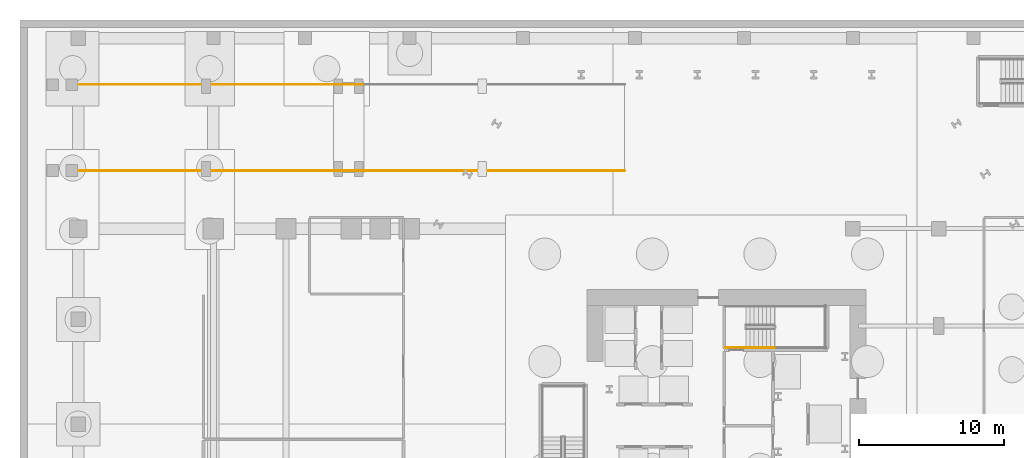
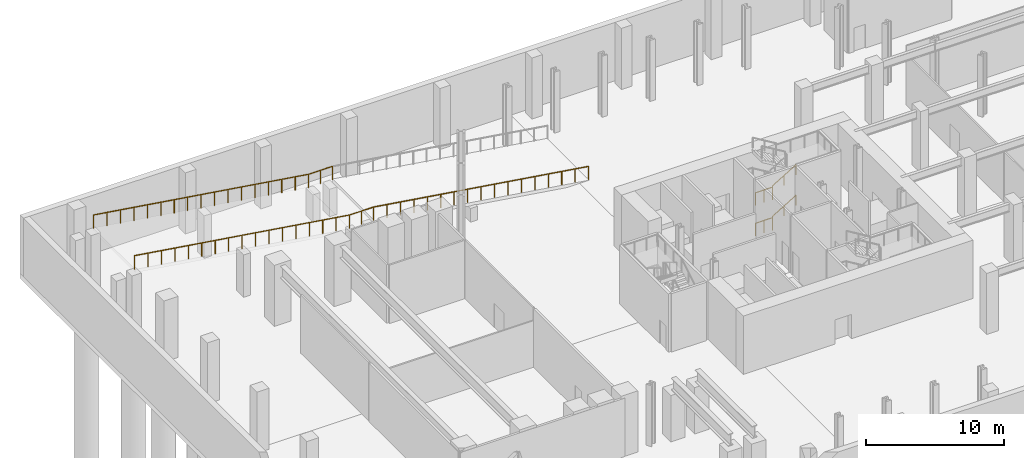
# One storey, part 12 of 16: 9 railings.
"""IFC4 building model written with IfcOpenShell, lengths in metres."""

from ifc_helpers import new_model, si_unit, direction, frame, origin, origin_2d, place, context, subcontext, project, spatial, circle, extrude, material, type_object, element, save


model = new_model("IFC4")

# Units and contexts
model_context = context("Model", 3, precision=1e-05, world=origin(), true_north=direction((0.0, 1.0)))
body_context = subcontext(model_context, "Body", "Model", "MODEL_VIEW")
ifc_project = project(units=[si_unit("LENGTHUNIT", "METRE"), si_unit("AREAUNIT", "SQUARE_METRE"), si_unit("VOLUMEUNIT", "CUBIC_METRE"), si_unit("PLANEANGLEUNIT", "RADIAN"), si_unit("MASSUNIT", "GRAM", prefix="KILO")], contexts=[model_context])

# Site, building, storey
site_placement = place(None, origin())
site = spatial("IfcSite", under=ifc_project, at=site_placement, CompositionType="ELEMENT")
building_placement = place(site_placement, origin())
building = spatial("IfcBuilding", under=site, at=building_placement, Name="Valkerne Bourse Tower", CompositionType="ELEMENT")
storey_placement = place(building_placement, frame((0.0, 0.0, -5.39990234375)))
storey = spatial("IfcBuildingStorey", under=building, at=storey_placement, Name="B1", CompositionType="ELEMENT", Elevation=-5.39990234375)

# Railings
ifc_material_1 = material(Name="Stainless Steel AISI 316", Category="steel")
railing_type_1 = type_object("IfcRailingType", Name="RLG-PORTAL-1200", PredefinedType="GUARDRAIL", material=ifc_material_1)
railing_1_placement = place(storey_placement, frame((39.800048828125, 44.429931640625, 0.0)))
element("IfcRailing", 1, at=railing_1_placement, inside=storey, type_object=railing_type_1, Name="B1 Vehicle Ramp Side Guard S-F1", PredefinedType="GUARDRAIL", context=body_context, shape_type="SweptSolid", body=[
    extrude(circle(Radius=0.02392578125, at=origin_2d()), frame((0.0, 0.0, 1.17578125), z_axis=(-0.988936746409, 0.0, 0.148337829299), x_axis=(0.0, -1.0, 0.0)), (0.0, 0.0, 1.0), 18.201416015625),
    extrude(circle(Radius=0.02099609375, at=origin_2d()), origin(), (0.0, 0.0, 1.0), 1.15185546875),
    extrude(circle(Radius=0.02099609375, at=origin_2d()), frame((-1.125, 0.0, 0.168701171875)), (0.0, 0.0, 1.0), 1.15185546875),
    extrude(circle(Radius=0.02099609375, at=origin_2d()), frame((-2.25, 0.0, 0.33740234375)), (0.0, 0.0, 1.0), 1.15185546875),
    extrude(circle(Radius=0.02099609375, at=origin_2d()), frame((-3.375, 0.0, 0.50634765625)), (0.0, 0.0, 1.0), 1.15185546875),
    extrude(circle(Radius=0.02099609375, at=origin_2d()), frame((-4.5, 0.0, 0.675048828125)), (0.0, 0.0, 1.0), 1.15185546875),
    extrude(circle(Radius=0.02099609375, at=origin_2d()), frame((-5.625, 0.0, 0.84375)), (0.0, 0.0, 1.0), 1.15185546875),
    extrude(circle(Radius=0.02099609375, at=origin_2d()), frame((-6.75, 0.0, 1.012451171875)), (0.0, 0.0, 1.0), 1.15185546875),
    extrude(circle(Radius=0.02099609375, at=origin_2d()), frame((-7.875, 0.0, 1.18115234375)), (0.0, 0.0, 1.0), 1.15185546875),
    extrude(circle(Radius=0.02099609375, at=origin_2d()), frame((-9.0, 0.0, 1.35009765625)), (0.0, 0.0, 1.0), 1.15185546875),
    extrude(circle(Radius=0.02099609375, at=origin_2d()), frame((-10.125, 0.0, 1.518798828125)), (0.0, 0.0, 1.0), 1.15185546875),
    extrude(circle(Radius=0.02099609375, at=origin_2d()), frame((-11.25, 0.0, 1.6875)), (0.0, 0.0, 1.0), 1.15185546875),
    extrude(circle(Radius=0.02099609375, at=origin_2d()), frame((-12.375, 0.0, 1.856201171875)), (0.0, 0.0, 1.0), 1.15185546875),
    extrude(circle(Radius=0.02099609375, at=origin_2d()), frame((-13.5, 0.0, 2.02490234375)), (0.0, 0.0, 1.0), 1.15185546875),
    extrude(circle(Radius=0.02099609375, at=origin_2d()), frame((-14.625, 0.0, 2.193603515625)), (0.0, 0.0, 1.0), 1.15185546875),
    extrude(circle(Radius=0.02099609375, at=origin_2d()), frame((-15.75, 0.0, 2.362548828125)), (0.0, 0.0, 1.0), 1.15185546875),
    extrude(circle(Radius=0.02099609375, at=origin_2d()), frame((-16.875, 0.0, 2.53125)), (0.0, 0.0, 1.0), 1.15185546875),
    extrude(circle(Radius=0.02099609375, at=origin_2d()), frame((-18.0, 0.0, 2.699951171875)), (0.0, 0.0, 1.0), 1.15185546875),
])
railing_2_placement = place(storey_placement, frame((21.800048828125, 44.429931640625, 2.699951171875)))
element("IfcRailing", 2, at=railing_2_placement, inside=storey, type_object=railing_type_1, Name="B1 Vehicle Ramp Side Guard S-ML", PredefinedType="GUARDRAIL", context=body_context, shape_type="SweptSolid", body=[
    extrude(circle(Radius=0.02392578125, at=origin_2d()), frame((0.0, 0.0, 1.17578125), z_axis=(-1.0, 0.0, 0.0), x_axis=(0.0, -1.0, 0.0)), (0.0, 0.0, 1.0), 2.0),
    extrude(circle(Radius=0.02099609375, at=origin_2d()), origin(), (0.0, 0.0, 1.0), 1.15185546875),
    extrude(circle(Radius=0.02099609375, at=origin_2d()), frame((-1.0, 0.0, 0.0)), (0.0, 0.0, 1.0), 1.15185546875),
    extrude(circle(Radius=0.02099609375, at=origin_2d()), frame((-2.0, 0.0, 0.0)), (0.0, 0.0, 1.0), 1.15185546875),
])
railing_3_placement = place(storey_placement, frame((19.800048828125, 44.429931640625, 2.699951171875)))
element("IfcRailing", 3, at=railing_3_placement, inside=storey, type_object=railing_type_1, Name="B1 Vehicle Ramp Side Guard S-F2", PredefinedType="GUARDRAIL", context=body_context, shape_type="SweptSolid", body=[
    extrude(circle(Radius=0.02392578125, at=origin_2d()), frame((0.0, 0.0, 1.17578125), z_axis=(-0.988936746409, 0.0, 0.148337829299), x_axis=(0.0, -1.0, 0.0)), (0.0, 0.0, 1.0), 18.201416015625),
    extrude(circle(Radius=0.02099609375, at=origin_2d()), origin(), (0.0, 0.0, 1.0), 1.15185546875),
    extrude(circle(Radius=0.02099609375, at=origin_2d()), frame((-1.125, 0.0, 0.168701171875)), (0.0, 0.0, 1.0), 1.15185546875),
    extrude(circle(Radius=0.02099609375, at=origin_2d()), frame((-2.25, 0.0, 0.33740234375)), (0.0, 0.0, 1.0), 1.15185546875),
    extrude(circle(Radius=0.02099609375, at=origin_2d()), frame((-3.375, 0.0, 0.50634765625)), (0.0, 0.0, 1.0), 1.15185546875),
    extrude(circle(Radius=0.02099609375, at=origin_2d()), frame((-4.5, 0.0, 0.675048828125)), (0.0, 0.0, 1.0), 1.15185546875),
    extrude(circle(Radius=0.02099609375, at=origin_2d()), frame((-5.625, 0.0, 0.84375)), (0.0, 0.0, 1.0), 1.15185546875),
    extrude(circle(Radius=0.02099609375, at=origin_2d()), frame((-6.75, 0.0, 1.012451171875)), (0.0, 0.0, 1.0), 1.15185546875),
    extrude(circle(Radius=0.02099609375, at=origin_2d()), frame((-7.875, 0.0, 1.18115234375)), (0.0, 0.0, 1.0), 1.15185546875),
    extrude(circle(Radius=0.02099609375, at=origin_2d()), frame((-9.0, 0.0, 1.35009765625)), (0.0, 0.0, 1.0), 1.15185546875),
    extrude(circle(Radius=0.02099609375, at=origin_2d()), frame((-10.125, 0.0, 1.518798828125)), (0.0, 0.0, 1.0), 1.15185546875),
    extrude(circle(Radius=0.02099609375, at=origin_2d()), frame((-11.25, 0.0, 1.6875)), (0.0, 0.0, 1.0), 1.15185546875),
    extrude(circle(Radius=0.02099609375, at=origin_2d()), frame((-12.375, 0.0, 1.856201171875)), (0.0, 0.0, 1.0), 1.15185546875),
    extrude(circle(Radius=0.02099609375, at=origin_2d()), frame((-13.5, 0.0, 2.02490234375)), (0.0, 0.0, 1.0), 1.15185546875),
    extrude(circle(Radius=0.02099609375, at=origin_2d()), frame((-14.625, 0.0, 2.193603515625)), (0.0, 0.0, 1.0), 1.15185546875),
    extrude(circle(Radius=0.02099609375, at=origin_2d()), frame((-15.75, 0.0, 2.362548828125)), (0.0, 0.0, 1.0), 1.15185546875),
    extrude(circle(Radius=0.02099609375, at=origin_2d()), frame((-16.875, 0.0, 2.53125)), (0.0, 0.0, 1.0), 1.15185546875),
    extrude(circle(Radius=0.02099609375, at=origin_2d()), frame((-18.0, 0.0, 2.699951171875)), (0.0, 0.0, 1.0), 1.15185546875),
])
railing_4_placement = place(storey_placement, frame((21.800048828125, 50.3701171875, 2.699951171875)))
element("IfcRailing", 4, at=railing_4_placement, inside=storey, type_object=railing_type_1, Name="B1 Vehicle Ramp Side Guard N-ML", PredefinedType="GUARDRAIL", context=body_context, shape_type="SweptSolid", body=[
    extrude(circle(Radius=0.02392578125, at=origin_2d()), frame((0.0, 0.0, 1.17578125), z_axis=(-1.0, 0.0, 0.0), x_axis=(0.0, -1.0, 0.0)), (0.0, 0.0, 1.0), 2.0),
    extrude(circle(Radius=0.02099609375, at=origin_2d()), origin(), (0.0, 0.0, 1.0), 1.15185546875),
    extrude(circle(Radius=0.02099609375, at=origin_2d()), frame((-1.0, 0.0, 0.0)), (0.0, 0.0, 1.0), 1.15185546875),
    extrude(circle(Radius=0.02099609375, at=origin_2d()), frame((-2.0, 0.0, 0.0)), (0.0, 0.0, 1.0), 1.15185546875),
])
railing_5_placement = place(storey_placement, frame((19.800048828125, 50.3701171875, 2.699951171875)))
element("IfcRailing", 5, at=railing_5_placement, inside=storey, type_object=railing_type_1, Name="B1 Vehicle Ramp Side Guard N-F2", PredefinedType="GUARDRAIL", context=body_context, shape_type="SweptSolid", body=[
    extrude(circle(Radius=0.02392578125, at=origin_2d()), frame((0.0, 0.0, 1.17578125), z_axis=(-0.988936746409, 0.0, 0.148337829299), x_axis=(0.0, -1.0, 0.0)), (0.0, 0.0, 1.0), 18.201416015625),
    extrude(circle(Radius=0.02099609375, at=origin_2d()), origin(), (0.0, 0.0, 1.0), 1.15185546875),
    extrude(circle(Radius=0.02099609375, at=origin_2d()), frame((-1.125, 0.0, 0.168701171875)), (0.0, 0.0, 1.0), 1.15185546875),
    extrude(circle(Radius=0.02099609375, at=origin_2d()), frame((-2.25, 0.0, 0.33740234375)), (0.0, 0.0, 1.0), 1.15185546875),
    extrude(circle(Radius=0.02099609375, at=origin_2d()), frame((-3.375, 0.0, 0.50634765625)), (0.0, 0.0, 1.0), 1.15185546875),
    extrude(circle(Radius=0.02099609375, at=origin_2d()), frame((-4.5, 0.0, 0.675048828125)), (0.0, 0.0, 1.0), 1.15185546875),
    extrude(circle(Radius=0.02099609375, at=origin_2d()), frame((-5.625, 0.0, 0.84375)), (0.0, 0.0, 1.0), 1.15185546875),
    extrude(circle(Radius=0.02099609375, at=origin_2d()), frame((-6.75, 0.0, 1.012451171875)), (0.0, 0.0, 1.0), 1.15185546875),
    extrude(circle(Radius=0.02099609375, at=origin_2d()), frame((-7.875, 0.0, 1.18115234375)), (0.0, 0.0, 1.0), 1.15185546875),
    extrude(circle(Radius=0.02099609375, at=origin_2d()), frame((-9.0, 0.0, 1.35009765625)), (0.0, 0.0, 1.0), 1.15185546875),
    extrude(circle(Radius=0.02099609375, at=origin_2d()), frame((-10.125, 0.0, 1.518798828125)), (0.0, 0.0, 1.0), 1.15185546875),
    extrude(circle(Radius=0.02099609375, at=origin_2d()), frame((-11.25, 0.0, 1.6875)), (0.0, 0.0, 1.0), 1.15185546875),
    extrude(circle(Radius=0.02099609375, at=origin_2d()), frame((-12.375, 0.0, 1.856201171875)), (0.0, 0.0, 1.0), 1.15185546875),
    extrude(circle(Radius=0.02099609375, at=origin_2d()), frame((-13.5, 0.0, 2.02490234375)), (0.0, 0.0, 1.0), 1.15185546875),
    extrude(circle(Radius=0.02099609375, at=origin_2d()), frame((-14.625, 0.0, 2.193603515625)), (0.0, 0.0, 1.0), 1.15185546875),
    extrude(circle(Radius=0.02099609375, at=origin_2d()), frame((-15.75, 0.0, 2.362548828125)), (0.0, 0.0, 1.0), 1.15185546875),
    extrude(circle(Radius=0.02099609375, at=origin_2d()), frame((-16.875, 0.0, 2.53125)), (0.0, 0.0, 1.0), 1.15185546875),
    extrude(circle(Radius=0.02099609375, at=origin_2d()), frame((-18.0, 0.0, 2.699951171875)), (0.0, 0.0, 1.0), 1.15185546875),
])
ifc_material_2 = material(Name="Galvanised Painted Steel", Category="steel")
railing_type_2 = type_object("IfcRailingType", Name="RLG-ST-GUARD-1120", PredefinedType="GUARDRAIL", material=ifc_material_2)
for number, where, name in (
    (6, (46.75, 32.25, 2.699951171875), "B1 ST-2 stair guard 8"),
    (7, (46.75, 32.25, 0.0), "B1 ST-2 stair guard 17"),
):
    element("IfcRailing", number, at=place(storey_placement, frame(where)), inside=storey, type_object=railing_type_2, Name=name, PredefinedType="GUARDRAIL", context=body_context, shape_type="SweptSolid", body=[
        extrude(circle(Radius=0.02392578125, at=origin_2d()), frame((0.0, 0.0, 1.09619140625), z_axis=(1.0, 0.0, 0.0), x_axis=(0.0, 1.0, 0.0)), (0.0, 0.0, 1.0), 1.39990234375),
        extrude(circle(Radius=0.02099609375, at=origin_2d()), origin(), (0.0, 0.0, 1.0), 1.072021484375),
        extrude(circle(Radius=0.02099609375, at=origin_2d()), frame((0.699951171875, 0.0, 0.0)), (0.0, 0.0, 1.0), 1.072021484375),
        extrude(circle(Radius=0.02099609375, at=origin_2d()), frame((1.39990234375, 0.0, 0.0)), (0.0, 0.0, 1.0), 1.072021484375),
    ])
railing_type_3 = type_object("IfcRailingType", Name="RLG-ST-HANDRAIL-900", PredefinedType="HANDRAIL", material=ifc_material_1)
railing_6_placement = place(storey_placement, frame((48.14990234375, 32.25, 0.33740234375)))
element("IfcRailing", 8, at=railing_6_placement, inside=storey, type_object=railing_type_3, Name="B1 ST-2 stair handrail 1", PredefinedType="HANDRAIL", context=body_context, shape_type="SweptSolid", body=[
    extrude(circle(Radius=0.02392578125, at=origin_2d()), frame((0.0, 0.0, 0.8759765625), z_axis=(0.856521883693, 0.0, 0.516110707847), x_axis=(0.0, 1.0, 0.0)), (0.0, 0.0, 1.0), 2.28857421875),
    extrude(circle(Radius=0.02099609375, at=origin_2d()), origin(), (0.0, 0.0, 1.0), 0.851806640625),
    extrude(circle(Radius=0.02099609375, at=origin_2d()), frame((0.97998046875, 0.0, 0.590576171875)), (0.0, 0.0, 1.0), 0.851806640625),
    extrude(circle(Radius=0.02099609375, at=origin_2d()), frame((1.960205078125, 0.0, 1.18115234375)), (0.0, 0.0, 1.0), 0.851806640625),
])
railing_7_placement = place(storey_placement, frame((48.14990234375, 32.25, 3.037353515625)))
element("IfcRailing", 9, at=railing_7_placement, inside=storey, type_object=railing_type_3, Name="B1 ST-2 stair handrail 3", PredefinedType="HANDRAIL", context=body_context, shape_type="SweptSolid", body=[
    extrude(circle(Radius=0.02392578125, at=origin_2d()), frame((0.0, 0.0, 0.8759765625), z_axis=(0.856474724393, 0.0, 0.516188963923), x_axis=(0.0, 1.0, 0.0)), (0.0, 0.0, 1.0), 2.28857421875),
    extrude(circle(Radius=0.02099609375, at=origin_2d()), origin(), (0.0, 0.0, 1.0), 0.851806640625),
    extrude(circle(Radius=0.02099609375, at=origin_2d()), frame((0.97998046875, 0.0, 0.5908203125)), (0.0, 0.0, 1.0), 0.851806640625),
    extrude(circle(Radius=0.02099609375, at=origin_2d()), frame((1.960205078125, 0.0, 1.181396484375)), (0.0, 0.0, 1.0), 0.851806640625),
])

save(model, "model.ifc")
